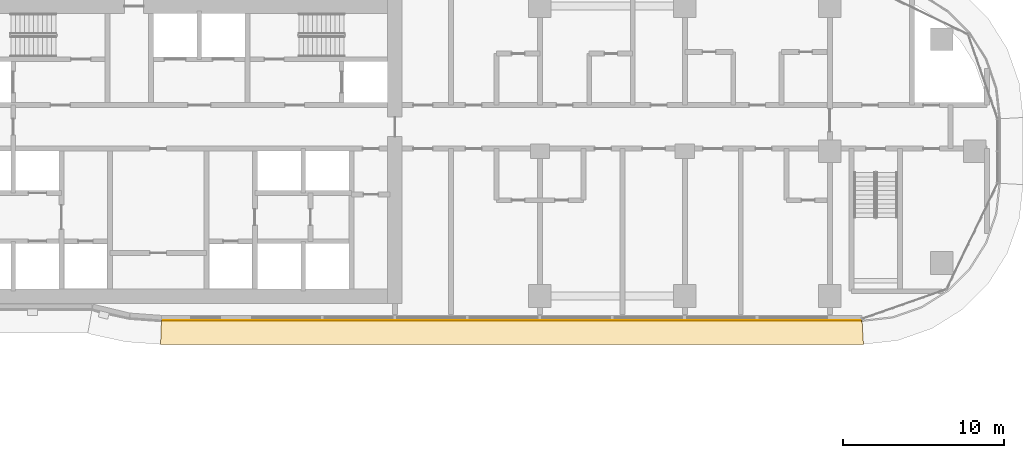
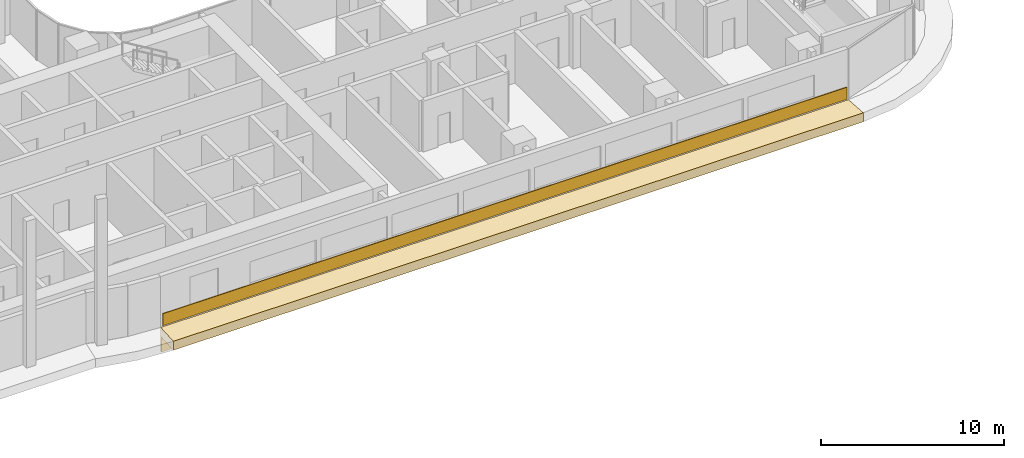
# One storey, part 30 of 36: 3 coverings.
"""IFC4 building model written with IfcOpenShell, lengths in metres."""

from ifc_helpers import new_model, si_unit, direction, frame, origin, origin_2d, place, context, subcontext, project, spatial, polyline, rectangle, outline, extrude, material, layer, layer_set, type_object, element, save


model = new_model("IFC4")

# Units and contexts
model_context = context("Model", 3, precision=1e-05, world=origin(), true_north=direction((0.0, 1.0)))
body_context = subcontext(model_context, "Body", "Model", "MODEL_VIEW")
ifc_project = project(units=[si_unit("LENGTHUNIT", "METRE"), si_unit("AREAUNIT", "SQUARE_METRE"), si_unit("VOLUMEUNIT", "CUBIC_METRE"), si_unit("PLANEANGLEUNIT", "RADIAN"), si_unit("MASSUNIT", "GRAM", prefix="KILO")], contexts=[model_context])

# Site, building, storey
site_placement = place(None, origin())
site = spatial("IfcSite", under=ifc_project, at=site_placement, CompositionType="ELEMENT")
building_placement = place(site_placement, origin())
building = spatial("IfcBuilding", under=site, at=building_placement, Name="Ogive Portal Towers", CompositionType="ELEMENT")
storey_placement = place(building_placement, frame((0.0, 0.0, 70.5)))
storey = spatial("IfcBuildingStorey", under=building, at=storey_placement, Name="L16", CompositionType="ELEMENT", Elevation=70.5)

# Coverings
ifc_material = material(Name="Limestone cladding on lightweight block wall", Category="masonry")
ifc_layer_1 = layer(ifc_material, 0.050048828125)
ifc_layer_set_1 = layer_set([ifc_layer_1], Name="SCREEN PERFORATED STONE")
covering_type_1 = type_object("IfcCoveringType", Name="SCREEN PERFORATED STONE", PredefinedType="CLADDING", material=ifc_layer_set_1)
covering_1_placement = place(storey_placement, frame((65.74853515625, 19.97509765625, 0.10009765625), z_axis=(0.0, 0.0, 1.0), x_axis=(1.0, 0.0, 0.0)))
element("IfcCovering", 1, at=covering_1_placement, inside=storey, type_object=covering_type_1, Name="Tracery screen", PredefinedType="CLADDING", context=body_context, shape_type="SweptSolid", body=[
    extrude(rectangle(XDim=43.275634765625, YDim=0.050048828125, at=origin_2d()), origin(), (0.0, 0.0, 1.0), 0.800048828125),
])
ifc_layer_2 = layer(ifc_material, 0.080078125)
ifc_layer_set_2 = layer_set([ifc_layer_2], Name="STONE SPANDREL 80")
covering_type_2 = type_object("IfcCoveringType", Name="STONE SPANDREL 80", PredefinedType="CLADDING", material=ifc_layer_set_2)
covering_2_placement = place(storey_placement, frame((0.0, 0.0, -1.60009765625)))
element("IfcCovering", 2, at=covering_2_placement, inside=storey, type_object=covering_type_2, Name="Stone spandrel A1-F05", PredefinedType="CLADDING", context=body_context, shape_type="SweptSolid", body=[
    extrude(outline(polyline([(44.0, 20.0), (87.5, 20.0), (87.50439453125, 19.919921875), (43.9970703125, 19.919921875), (44.0, 20.0)])), origin(), (0.0, 0.0, 1.0), 1.0),
])
ifc_layer_3 = layer(ifc_material, 0.60009765625)
ifc_layer_set_3 = layer_set([ifc_layer_3], Name="SUNSHADE LIP 600")
covering_type_3 = type_object("IfcCoveringType", Name="SUNSHADE LIP 600", PredefinedType="CLADDING", material=ifc_layer_set_3)
covering_3_placement = place(storey_placement, frame((0.0, 0.0, -0.60009765625)))
element("IfcCovering", 3, at=covering_3_placement, inside=storey, type_object=covering_type_3, Name="Sunshade lip A1-F05", PredefinedType="CLADDING", context=body_context, shape_type="SweptSolid", body=[
    extrude(outline(polyline([(44.0, 20.0), (87.5, 20.0), (87.584228515625, 18.5), (43.946533203125, 18.5), (44.0, 20.0)])), origin(), (0.0, 0.0, 1.0), 0.60009765625),
])

save(model, "model.ifc")
